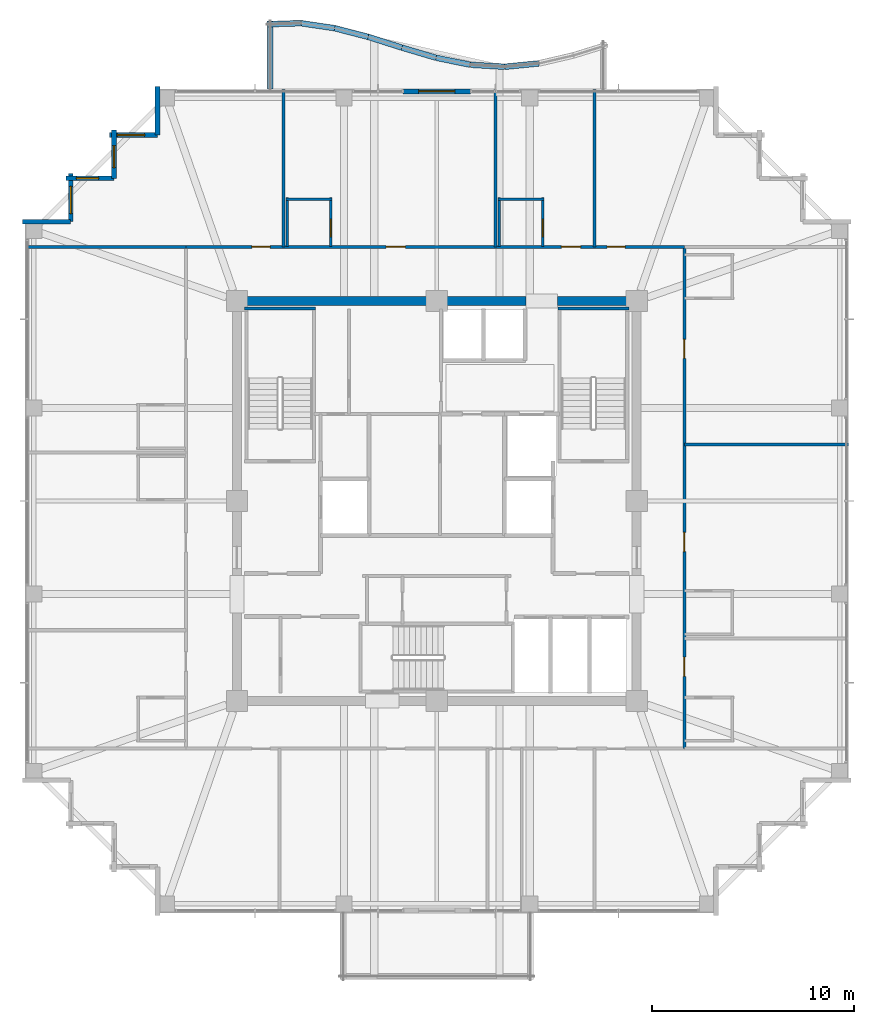
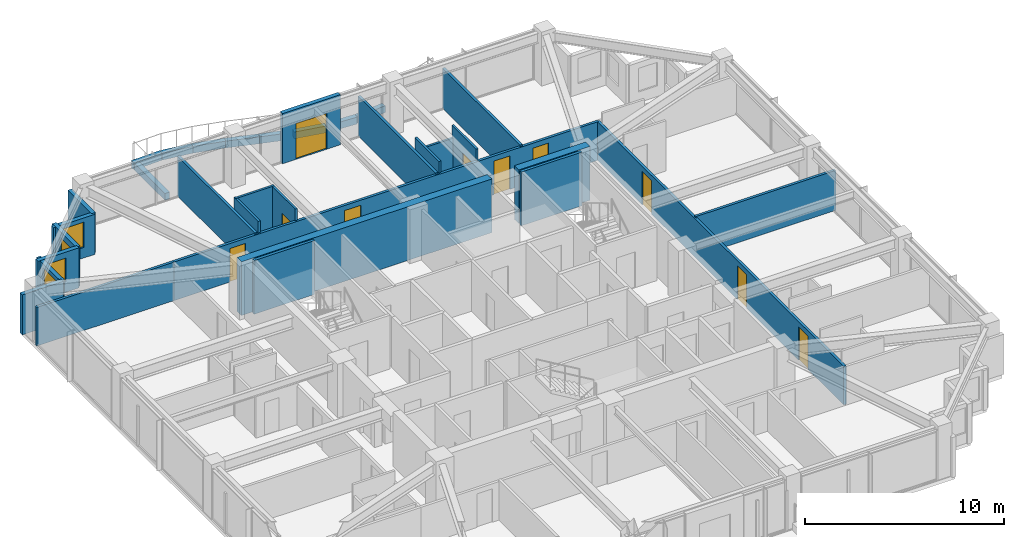
# One storey, part 33 of 36: 33 walls, 10 doors, 4 windows, 14 openings.
"""IFC4 building model written with IfcOpenShell, lengths in metres."""

import ifcopenshell
import ifcopenshell.guid

model = None  # the IFC model being written
_history = None  # IfcOwnerHistory: only IFC2X3 demands one
_inside = {}  # id of a spatial element -> (the spatial element, [elements in it])
_under = {}  # id of a project, library or spatial element -> (it, [spatial elements below it])
_declared = {}  # id of a project -> (the project, [libraries it declares])
_typed = {}  # id of a type object -> (the type object, [elements of that type])
_made_of = {}  # id of a material, layer set ... -> (it, [elements and type objects made of it])


def new_model(schema):
    """Start an empty IFC model of exactly this schema.

    Asked for "IFC4X3", IfcOpenShell would pick the latest addendum, in which some entities
    have other attributes; the version numbers below select the first issue.
    IFC2X3 requires an IfcOwnerHistory on every rooted entity: one is made here for all.
    """
    global model, _history
    if schema == "IFC4X3":
        model = ifcopenshell.file(schema_version=(4, 3, 0, 0))
    else:
        model = ifcopenshell.file(schema=schema)
    _inside.clear()
    _under.clear()
    _declared.clear()
    _typed.clear()
    _made_of.clear()
    _history = None
    if model.schema == "IFC2X3":
        org = make("IfcOrganization", Name="unknown")
        user = make(
            "IfcPersonAndOrganization",
            ThePerson=make("IfcPerson", FamilyName="unknown"),
            TheOrganization=org,
        )
        app = make(
            "IfcApplication",
            ApplicationDeveloper=org,
            Version="unknown",
            ApplicationFullName="unknown",
            ApplicationIdentifier="unknown",
        )
        _history = make(
            "IfcOwnerHistory",
            OwningUser=user,
            OwningApplication=app,
            ChangeAction="ADDED",
            CreationDate=0,
        )
    return model


def make(cls, **values):
    """One entity of the class cls with the attributes given. An attribute that is None is left unset."""
    return model.create_entity(
        cls, **{name: value for name, value in values.items() if value is not None}
    )


def rooted(cls, **values):
    """An entity with a GlobalId (a new one), such as an element, a storey or a relation."""
    return make(cls, GlobalId=ifcopenshell.guid.new(), OwnerHistory=_history, **values)


def si_unit(unit_type, name, prefix=None):
    """IfcSIUnit, for example si_unit("LENGTHUNIT", "METRE", prefix="MILLI")."""
    return make("IfcSIUnit", UnitType=unit_type, Prefix=prefix, Name=name)


def assignment(units):
    """IfcUnitAssignment: the units of a project."""
    return None if units is None else make("IfcUnitAssignment", Units=units)


def point(xyz):
    """IfcCartesianPoint."""
    return None if xyz is None else make("IfcCartesianPoint", Coordinates=xyz)


def direction(xyz):
    """IfcDirection."""
    return None if xyz is None else make("IfcDirection", DirectionRatios=xyz)


def frame(location, z_axis=None, x_axis=None):
    """IfcAxis2Placement3D, a coordinate frame: its origin and axes. An axis left out is left unset."""
    return make(
        "IfcAxis2Placement3D",
        Location=point(location),
        Axis=direction(z_axis),
        RefDirection=direction(x_axis),
    )


def frame_2d(location, x_axis=None):
    """IfcAxis2Placement2D, a coordinate frame in the plane: its origin and x axis."""
    return make(
        "IfcAxis2Placement2D", Location=point(location), RefDirection=direction(x_axis)
    )


def origin():
    """The frame at (0, 0, 0) with its axes left unset."""
    return frame((0.0, 0.0, 0.0))


def place(relative_to, where):
    """IfcLocalPlacement: puts the frame where relative to a parent placement (None: the world)."""
    return make(
        "IfcLocalPlacement", PlacementRelTo=relative_to, RelativePlacement=where
    )


def context(
    kind, dimensions, precision=None, world=None, true_north=None, identifier=None
):
    """IfcGeometricRepresentationContext, for example the 3D "Model" context."""
    return make(
        "IfcGeometricRepresentationContext",
        ContextIdentifier=identifier,
        ContextType=kind,
        CoordinateSpaceDimension=dimensions,
        Precision=precision,
        WorldCoordinateSystem=world,
        TrueNorth=true_north,
    )


def subcontext(parent, identifier, kind, view, scale=None):
    """IfcGeometricRepresentationSubContext, for example "Body" below "Model"."""
    return make(
        "IfcGeometricRepresentationSubContext",
        ContextIdentifier=identifier,
        ContextType=kind,
        ParentContext=parent,
        TargetScale=scale,
        TargetView=view,
    )


def project(units=None, contexts=None):
    """IfcProject with its units and contexts."""
    return rooted(
        "IfcProject",
        Name="project",
        RepresentationContexts=contexts,
        UnitsInContext=assignment(units),
    )


def spatial(cls, under=None, at=None, **own):
    """A site, building, storey or space (cls), placed at a placement, below another one or the project."""
    s = rooted(cls, ObjectPlacement=at, **own)
    if under is not None:
        _under.setdefault(under.id(), (under, []))[1].append(s)
    return s


def profile(cls, at=None, kind="AREA", **sizes):
    """A parametric profile (cls). Its sizes go by their IFC names, for example OverallWidth=200.0."""
    return make(cls, ProfileType=kind, Position=at, **sizes)


def rectangle(**sizes):
    """IfcRectangleProfileDef."""
    return profile("IfcRectangleProfileDef", **sizes)


def extrude(swept, where, along, depth):
    """IfcExtrudedAreaSolid: the profile swept, set in the frame where, extruded along a direction by depth."""
    return make(
        "IfcExtrudedAreaSolid",
        SweptArea=swept,
        Position=where,
        ExtrudedDirection=direction(along),
        Depth=depth,
    )


def shape(context_of_items, identifier, shape_type, items):
    """IfcShapeRepresentation: the items that make up one representation, for example the "Body"."""
    return make(
        "IfcShapeRepresentation",
        ContextOfItems=context_of_items,
        RepresentationIdentifier=identifier,
        RepresentationType=shape_type,
        Items=items,
    )


def material(Name=None, Category=None):
    """IfcMaterial."""
    return make("IfcMaterial", Name=Name, Category=Category)


def layer(
    of_material, thickness, ventilated=None, Name=None, Category=None, Priority=None
):
    """IfcMaterialLayer: one layer of a wall or slab, of a material (None: an air gap)."""
    return make(
        "IfcMaterialLayer",
        Material=of_material,
        LayerThickness=thickness,
        IsVentilated=ventilated,
        Name=Name,
        Category=Category,
        Priority=Priority,
    )


def layer_set(layers, Name=None):
    """IfcMaterialLayerSet."""
    return make("IfcMaterialLayerSet", MaterialLayers=layers, LayerSetName=Name)


def made_of(thing, what):
    """Note that an element or type object is made of a material, layer set ...; save() writes the relation."""
    if what is not None:
        _made_of.setdefault(what.id(), (what, []))[1].append(thing)
    return thing


def type_object(cls, material=None, **own):
    """A type object (cls), such as IfcWallType, which elements share."""
    return made_of(rooted(cls, **own), material)


def element(
    cls,
    number,
    at=None,
    inside=None,
    cuts=None,
    type_object=None,
    material=None,
    context=None,
    identifier="Body",
    shape_type=None,
    held_by="IfcProductDefinitionShape",
    body=None,
    shapes=None,
    **own,
):
    """One element of the class cls, such as IfcWall. Its Tag is "e" and its number.

    at: its placement. inside: the storey or other place that contains it. cuts: it is an
    opening in that element (IfcRelVoidsElement). A single representation is given by context,
    identifier, shape_type and body (its items); several are given by shapes. held_by: the class
    of the entity that holds the representations. save() writes the other relations.
    """
    e = rooted(cls, Tag="e%d" % number, ObjectPlacement=at, **own)
    if body is not None:
        shapes = [shape(context, identifier, shape_type, body)]
    if shapes is not None:
        e.Representation = make(held_by, Representations=shapes)
    if inside is not None:
        _inside.setdefault(inside.id(), (inside, []))[1].append(e)
    if cuts is not None:
        rooted(
            "IfcRelVoidsElement", RelatingBuildingElement=cuts, RelatedOpeningElement=e
        )
    if type_object is not None:
        _typed.setdefault(type_object.id(), (type_object, []))[1].append(e)
    return made_of(e, material)


def fill(opening, filler):
    """IfcRelFillsElement: the door or window that sits in an opening."""
    return rooted(
        "IfcRelFillsElement",
        RelatingOpeningElement=opening,
        RelatedBuildingElement=filler,
    )


def aggregate(whole, parts):
    """IfcRelAggregates: a whole, such as a stair, and the parts it consists of."""
    return rooted("IfcRelAggregates", RelatingObject=whole, RelatedObjects=parts)


def save(model, path):
    """Write the relations noted so far, then the file.

    IfcRelAggregates (storeys below a building ...), IfcRelContainedInSpatialStructure (elements
    in a storey), IfcRelDefinesByType, IfcRelAssociatesMaterial and IfcRelDeclares: one each for
    every whole, place, type object, material and project.
    """
    for whole, parts in _under.values():
        aggregate(whole, parts)
    for where, things in _inside.values():
        rooted(
            "IfcRelContainedInSpatialStructure",
            RelatedElements=things,
            RelatingStructure=where,
        )
    for kind, things in _typed.values():
        rooted("IfcRelDefinesByType", RelatedObjects=things, RelatingType=kind)
    for what, things in _made_of.values():
        rooted("IfcRelAssociatesMaterial", RelatedObjects=things, RelatingMaterial=what)
    for by, libraries in _declared.values():
        rooted("IfcRelDeclares", RelatingContext=by, RelatedDefinitions=libraries)
    model.write(path)


model = new_model("IFC4")

# Units and contexts
model_context = context("Model", 3, precision=1e-05, world=origin(), true_north=direction((0.0, 1.0)))
body_context = subcontext(model_context, "Body", "Model", "MODEL_VIEW")
ifc_project = project(units=[si_unit("LENGTHUNIT", "METRE"), si_unit("AREAUNIT", "SQUARE_METRE"), si_unit("VOLUMEUNIT", "CUBIC_METRE"), si_unit("PLANEANGLEUNIT", "RADIAN"), si_unit("MASSUNIT", "GRAM", prefix="KILO")], contexts=[model_context])

# Site, building, storey
site_placement = place(None, origin())
site = spatial("IfcSite", under=ifc_project, at=site_placement, CompositionType="ELEMENT")
building_placement = place(site_placement, origin())
building = spatial("IfcBuilding", under=site, at=building_placement, Name="Kolvaren Belvedere", CompositionType="ELEMENT")
storey_placement = place(building_placement, frame((0.0, 0.0, 226.199951171875)))
storey = spatial("IfcBuildingStorey", under=building, at=storey_placement, Name="L66", CompositionType="ELEMENT", Elevation=226.199951171875)

# Walls
ifc_material_1 = material(Name="Concrete C50/60", Category="concrete")
ifc_layer_1 = layer(ifc_material_1, 0.449951171875)
ifc_layer_set_1 = layer_set([ifc_layer_1], Name="Concrete C50/60")
wall_type_1 = type_object("IfcWallType", Name="CW-CORE-450", PredefinedType="SHEAR", material=ifc_layer_set_1)
wall_1_placement = place(storey_placement, frame((-10.125, 9.89990234375, 0.0), z_axis=(0.0, 0.0, 1.0), x_axis=(1.0, 0.0, 0.0)))
element("IfcWall", 1, at=wall_1_placement, inside=storey, type_object=wall_type_1, Name="L66 North Core Shear Wall 1", PredefinedType="SHEAR", context=body_context, shape_type="SweptSolid", body=[
    extrude(rectangle(XDim=14.544921875, YDim=0.449951171875, at=frame_2d((7.2724609375, 0.0))), origin(), (0.0, 0.0, 1.0), 3.300048828125),
])
wall_2_placement = place(storey_placement, frame((5.97998046875, 9.89990234375, 0.0), z_axis=(0.0, 0.0, 1.0), x_axis=(1.0, 0.0, 0.0)))
element("IfcWall", 2, at=wall_2_placement, inside=storey, type_object=wall_type_1, Name="L66 North Core Shear Wall 2", PredefinedType="SHEAR", context=body_context, shape_type="SweptSolid", body=[
    extrude(rectangle(XDim=4.14501953125, YDim=0.449951171875, at=frame_2d((2.072509765625, 0.0))), origin(), (0.0, 0.0, 1.0), 3.300048828125),
])
ifc_material_2 = material(Name="Concrete C50/60", Category="concrete")
ifc_layer_2 = layer(ifc_material_2, 0.159912109375)
ifc_layer_set_2 = layer_set([ifc_layer_2], Name="Concrete C50/60")
wall_type_2 = type_object("IfcWallType", Name="CW-STAIR-160", PredefinedType="SHEAR", material=ifc_layer_set_2)
for number, where, z_axis, x_axis, name in (
    (3, (-9.52001953125, 9.530029296875, 0.0), (0.0, 0.0, 1.0), (1.0, 0.0, 0.0), "L66 Stair ST-1 North Shear Wall"),
    (4, (6.0, 9.530029296875, 0.0), (0.0, 0.0, 1.0), (1.0, 0.0, 0.0), "L66 Stair ST-2 North Shear Wall"),
):
    element("IfcWall", number, at=place(storey_placement, frame(where, z_axis=z_axis, x_axis=x_axis)), inside=storey, type_object=wall_type_2, Name=name, PredefinedType="SHEAR", context=body_context, shape_type="SweptSolid", body=[
        extrude(rectangle(XDim=3.52001953125, YDim=0.159912109375, at=frame_2d((1.760009765625, 0.0))), origin(), (0.0, 0.0, 1.0), 3.300048828125),
    ])

# Wall, openings, doors
ifc_material_3 = material(Name="Gypsum fire-rated partition assembly", Category="gypsum")
ifc_layer_3 = layer(ifc_material_3, 0.14990234375)
ifc_layer_set_3 = layer_set([ifc_layer_3], Name="Gypsum fire-rated partition assembly")
wall_type_3 = type_object("IfcWallType", Name="WL-CORR-150", PredefinedType="PARTITIONING", material=ifc_layer_set_3)
wall_3_placement = place(storey_placement, frame((-12.419921875, 12.580078125, 0.0), z_axis=(0.0, 0.0, 1.0), x_axis=(1.0, 0.0, 0.0)))
wall_3 = element("IfcWall", 5, at=wall_3_placement, inside=storey, type_object=wall_type_3, Name="L66 North Corridor Wall", PredefinedType="PARTITIONING", context=body_context, shape_type="SweptSolid", body=[
    extrude(rectangle(XDim=24.679931640625, YDim=0.14990234375, at=frame_2d((12.33984375, 0.0))), origin(), (0.0, 0.0, 1.0), 2.369140625),
])
opening_1_placement = place(wall_3_placement, frame((3.267333984375, 0.0, 0.0)))
opening_1 = element("IfcOpeningElement", 6, at=opening_1_placement, cuts=wall_3, Name="Opening D-INT90", PredefinedType="OPENING", context=body_context, shape_type="SweptSolid", body=[
    extrude(rectangle(XDim=0.89990234375, YDim=2.06005859375, at=frame_2d((0.449951171875, 1.030029296875))), frame((0.0, 0.0849609375, 0.0), z_axis=(0.0, -1.0, 0.0), x_axis=(1.0, 0.0, 0.0)), (0.0, 0.0, 1.0), 0.169921875),
])
opening_2_placement = place(wall_3_placement, frame((9.9150390625, 0.0, 0.0)))
opening_2 = element("IfcOpeningElement", 7, at=opening_2_placement, cuts=wall_3, Name="Opening D-FD60", PredefinedType="OPENING", context=body_context, shape_type="SweptSolid", body=[
    extrude(rectangle(XDim=0.949951171875, YDim=2.06005859375, at=frame_2d((0.47509765625, 1.030029296875))), frame((0.0, 0.0849609375, 0.0), z_axis=(0.0, -1.0, 0.0), x_axis=(1.0, 0.0, 0.0)), (0.0, 0.0, 1.0), 0.169921875),
])
opening_3_placement = place(wall_3_placement, frame((18.58740234375, 0.0, 0.0)))
opening_3 = element("IfcOpeningElement", 8, at=opening_3_placement, cuts=wall_3, Name="Opening D-FD60", PredefinedType="OPENING", context=body_context, shape_type="SweptSolid", body=[
    extrude(rectangle(XDim=0.949951171875, YDim=2.06005859375, at=frame_2d((0.47509765625, 1.030029296875))), frame((0.0, 0.0849609375, 0.0), z_axis=(0.0, -1.0, 0.0), x_axis=(1.0, 0.0, 0.0)), (0.0, 0.0, 1.0), 0.169921875),
])
opening_4_placement = place(wall_3_placement, frame((20.849853515625, 0.0, 0.0)))
opening_4 = element("IfcOpeningElement", 9, at=opening_4_placement, cuts=wall_3, Name="Opening D-INT90", PredefinedType="OPENING", context=body_context, shape_type="SweptSolid", body=[
    extrude(rectangle(XDim=0.89990234375, YDim=2.06005859375, at=frame_2d((0.449951171875, 1.030029296875))), frame((0.0, 0.0849609375, 0.0), z_axis=(0.0, -1.0, 0.0), x_axis=(1.0, 0.0, 0.0)), (0.0, 0.0, 1.0), 0.169921875),
])
ifc_material_4 = material(Name="Acoustic white-oak fire door leaf", Category="timber")
door_type_1 = type_object("IfcDoorType", Name="DR-FD60-950", OperationType="NOTDEFINED", PredefinedType="DOOR", material=ifc_material_4)
door_1_placement = place(opening_2_placement, origin())
door_1 = element("IfcDoor", 10, at=door_1_placement, inside=storey, type_object=door_type_1, Name="L66 Twin Guest Room 6611 Entry Door", OperationType="SINGLE_SWING_RIGHT", OverallHeight=2.06005859375, OverallWidth=0.949951171875, PredefinedType="DOOR", context=body_context, shape_type="SweptSolid", body=[
    extrude(rectangle(XDim=0.949951171875, YDim=2.06005859375, at=frame_2d((0.47509765625, 1.030029296875))), frame((0.0, 0.02490234375, 0.0), z_axis=(0.0, -1.0, 0.0), x_axis=(1.0, 0.0, 0.0)), (0.0, 0.0, 1.0), 0.050048828125),
])
fill(opening_2, door_1)
door_2_placement = place(opening_3_placement, origin())
door_2 = element("IfcDoor", 11, at=door_2_placement, inside=storey, type_object=door_type_1, Name="L66 Deluxe King Guest Room 6612 Entry Door", OperationType="SINGLE_SWING_RIGHT", OverallHeight=2.06005859375, OverallWidth=0.949951171875, PredefinedType="DOOR", context=body_context, shape_type="SweptSolid", body=[
    extrude(rectangle(XDim=0.949951171875, YDim=2.06005859375, at=frame_2d((0.47509765625, 1.030029296875))), frame((0.0, 0.02490234375, 0.0), z_axis=(0.0, -1.0, 0.0), x_axis=(1.0, 0.0, 0.0)), (0.0, 0.0, 1.0), 0.050048828125),
])
fill(opening_3, door_2)
ifc_material_5 = material(Name="Stained Pacific white oak", Category="timber")
door_type_2 = type_object("IfcDoorType", Name="DR-INT-900", OperationType="NOTDEFINED", PredefinedType="DOOR", material=ifc_material_5)
door_3_placement = place(opening_1_placement, origin())
door_3 = element("IfcDoor", 12, at=door_3_placement, inside=storey, type_object=door_type_2, Name="L66 Lounge 6610 Door", OperationType="SINGLE_SWING_RIGHT", OverallHeight=2.06005859375, OverallWidth=0.89990234375, PredefinedType="DOOR", context=body_context, shape_type="SweptSolid", body=[
    extrude(rectangle(XDim=0.89990234375, YDim=2.06005859375, at=frame_2d((0.449951171875, 1.030029296875))), frame((0.0, 0.02490234375, 0.0), z_axis=(0.0, -1.0, 0.0), x_axis=(1.0, 0.0, 0.0)), (0.0, 0.0, 1.0), 0.050048828125),
])
fill(opening_1, door_3)
door_4_placement = place(opening_4_placement, origin())
door_4 = element("IfcDoor", 13, at=door_4_placement, inside=storey, type_object=door_type_2, Name="L66 Lounge 6613 Door", OperationType="SINGLE_SWING_LEFT", OverallHeight=2.06005859375, OverallWidth=0.89990234375, PredefinedType="DOOR", context=body_context, shape_type="SweptSolid", body=[
    extrude(rectangle(XDim=0.89990234375, YDim=2.06005859375, at=frame_2d((0.449951171875, 1.030029296875))), frame((0.0, 0.02490234375, 0.0), z_axis=(0.0, -1.0, 0.0), x_axis=(1.0, 0.0, 0.0)), (0.0, 0.0, 1.0), 0.050048828125),
])
fill(opening_4, door_4)

wall_4_placement = place(storey_placement, frame((12.260009765625, -12.260009765625, 0.0), z_axis=(0.0, 0.0, 1.0), x_axis=(0.0, 1.0, 0.0)))
wall_4 = element("IfcWall", 14, at=wall_4_placement, inside=storey, type_object=wall_type_3, Name="L66 East Corridor Wall", PredefinedType="PARTITIONING", context=body_context, shape_type="SweptSolid", body=[
    extrude(rectangle(XDim=24.840087890625, YDim=0.14990234375, at=frame_2d((12.419921875, 0.0))), origin(), (0.0, 0.0, 1.0), 2.369140625),
])
opening_5_placement = place(wall_4_placement, frame((3.581298828125, 0.0, 0.0)))
opening_5 = element("IfcOpeningElement", 15, at=opening_5_placement, cuts=wall_4, Name="Opening D-FD60", PredefinedType="OPENING", context=body_context, shape_type="SweptSolid", body=[
    extrude(rectangle(XDim=0.949951171875, YDim=2.06005859375, at=frame_2d((0.47509765625, 1.030029296875))), frame((0.0, 0.0849609375, 0.0), z_axis=(0.0, -1.0, 0.0), x_axis=(1.0, 0.0, 0.0)), (0.0, 0.0, 1.0), 0.169921875),
])
opening_6_placement = place(wall_4_placement, frame((9.7548828125, 0.0, 0.0)))
opening_6 = element("IfcOpeningElement", 16, at=opening_6_placement, cuts=wall_4, Name="Opening D-FD60", PredefinedType="OPENING", context=body_context, shape_type="SweptSolid", body=[
    extrude(rectangle(XDim=0.949951171875, YDim=2.06005859375, at=frame_2d((0.47509765625, 1.030029296875))), frame((0.0, 0.0849609375, 0.0), z_axis=(0.0, -1.0, 0.0), x_axis=(1.0, 0.0, 0.0)), (0.0, 0.0, 1.0), 0.169921875),
])
opening_7_placement = place(wall_4_placement, frame((19.320068359375, 0.0, 0.0)))
opening_7 = element("IfcOpeningElement", 17, at=opening_7_placement, cuts=wall_4, Name="Opening D-FD60", PredefinedType="OPENING", context=body_context, shape_type="SweptSolid", body=[
    extrude(rectangle(XDim=0.949951171875, YDim=2.06005859375, at=frame_2d((0.47509765625, 1.030029296875))), frame((0.0, 0.0849609375, 0.0), z_axis=(0.0, -1.0, 0.0), x_axis=(1.0, 0.0, 0.0)), (0.0, 0.0, 1.0), 0.169921875),
])
door_5_placement = place(opening_5_placement, origin())
door_5 = element("IfcDoor", 18, at=door_5_placement, inside=storey, type_object=door_type_1, Name="L66 Deluxe King Guest Room 6604 Entry Door", OperationType="SINGLE_SWING_LEFT", OverallHeight=2.06005859375, OverallWidth=0.949951171875, PredefinedType="DOOR", context=body_context, shape_type="SweptSolid", body=[
    extrude(rectangle(XDim=0.949951171875, YDim=2.06005859375, at=frame_2d((0.47509765625, 1.030029296875))), frame((0.0, 0.02490234375, 0.0), z_axis=(0.0, -1.0, 0.0), x_axis=(1.0, 0.0, 0.0)), (0.0, 0.0, 1.0), 0.050048828125),
])
fill(opening_5, door_5)
door_6_placement = place(opening_6_placement, origin())
door_6 = element("IfcDoor", 19, at=door_6_placement, inside=storey, type_object=door_type_1, Name="L66 Twin Guest Room 6605 Entry Door", OperationType="SINGLE_SWING_LEFT", OverallHeight=2.06005859375, OverallWidth=0.949951171875, PredefinedType="DOOR", context=body_context, shape_type="SweptSolid", body=[
    extrude(rectangle(XDim=0.949951171875, YDim=2.06005859375, at=frame_2d((0.47509765625, 1.030029296875))), frame((0.0, 0.02490234375, 0.0), z_axis=(0.0, -1.0, 0.0), x_axis=(1.0, 0.0, 0.0)), (0.0, 0.0, 1.0), 0.050048828125),
])
fill(opening_6, door_6)
door_7_placement = place(opening_7_placement, origin())
door_7 = element("IfcDoor", 20, at=door_7_placement, inside=storey, type_object=door_type_1, Name="L66 Deluxe King Guest Room 6606 Entry Door", OperationType="SINGLE_SWING_LEFT", OverallHeight=2.06005859375, OverallWidth=0.949951171875, PredefinedType="DOOR", context=body_context, shape_type="SweptSolid", body=[
    extrude(rectangle(XDim=0.949951171875, YDim=2.06005859375, at=frame_2d((0.47509765625, 1.030029296875))), frame((0.0, 0.02490234375, 0.0), z_axis=(0.0, -1.0, 0.0), x_axis=(1.0, 0.0, 0.0)), (0.0, 0.0, 1.0), 0.050048828125),
])
fill(opening_7, door_7)

# Wall, opening, door
ifc_material_6 = material(Name="Insulated pale-metal facade wall assembly", Category="aluminium")
ifc_layer_4 = layer(ifc_material_6, 0.239990234375)
ifc_layer_set_4 = layer_set([ifc_layer_4], Name="Insulated pale-metal facade wall assembly")
wall_type_4 = type_object("IfcWallType", Name="WL-EXT-240", PredefinedType="STANDARD", material=ifc_layer_set_4)
wall_5_placement = place(storey_placement, frame((-1.679931640625, 20.280029296875, 0.0), z_axis=(0.0, 0.0, 1.0), x_axis=(1.0, 0.0, 0.0)))
wall_5 = element("IfcWall", 21, at=wall_5_placement, inside=storey, type_object=wall_type_4, Name="L66 North Terrace Portal Wall", PredefinedType="STANDARD", context=body_context, shape_type="SweptSolid", body=[
    extrude(rectangle(XDim=3.35986328125, YDim=0.239990234375, at=frame_2d((1.679931640625, 0.0))), origin(), (0.0, 0.0, 1.0), 3.080078125),
])
opening_8_placement = place(wall_5_placement, frame((0.780029296875, 0.0, 0.0)))
opening_8 = element("IfcOpeningElement", 22, at=opening_8_placement, cuts=wall_5, Name="Opening DB-1800", PredefinedType="OPENING", context=body_context, shape_type="SweptSolid", body=[
    extrude(rectangle(XDim=1.800048828125, YDim=2.199951171875, at=frame_2d((0.89990234375, 1.10009765625))), frame((0.0, 0.1298828125, 0.0), z_axis=(0.0, -1.0, 0.0), x_axis=(1.0, 0.0, 0.0)), (0.0, 0.0, 1.0), 0.260009765625),
])
ifc_material_7 = material(Name="Thermally broken pale-metal aluminium & low-iron glass", Category="aluminium")
door_type_3 = type_object("IfcDoorType", Name="DR-BAL-1800", OperationType="DOUBLE_DOOR_SLIDING", PredefinedType="DOOR", material=ifc_material_7)
door_8_placement = place(opening_8_placement, origin())
door_8 = element("IfcDoor", 23, at=door_8_placement, inside=storey, type_object=door_type_3, Name="L66 North Planted Terrace Sliding Door", OperationType="DOUBLE_DOOR_SLIDING", OverallHeight=2.199951171875, OverallWidth=1.800048828125, PredefinedType="DOOR", context=body_context, shape_type="SweptSolid", body=[
    extrude(rectangle(XDim=1.800048828125, YDim=2.199951171875, at=frame_2d((0.89990234375, 1.10009765625))), frame((0.0, 0.02490234375, 0.0), z_axis=(0.0, -1.0, 0.0), x_axis=(1.0, 0.0, 0.0)), (0.0, 0.0, 1.0), 0.050048828125),
])
fill(opening_8, door_8)

# Wall
wall_6_placement = place(storey_placement, frame((-13.830078125, 18.1298828125, 0.0), z_axis=(0.0, 0.0, 1.0), x_axis=(0.0, 1.0, 0.0)))
element("IfcWall", 24, at=wall_6_placement, inside=storey, type_object=wall_type_4, Name="L66 Serrated Corner Facade Wall 16", PredefinedType="STANDARD", context=body_context, shape_type="SweptSolid", body=[
    extrude(rectangle(XDim=2.39013671875, YDim=0.239990234375, at=frame_2d((1.195068359375, 0.0))), origin(), (0.0, 0.0, 1.0), 2.463134765625),
])

# Wall, opening, window
wall_7_placement = place(storey_placement, frame((-16.219970703125, 18.1298828125, 0.0), z_axis=(0.0, 0.0, 1.0), x_axis=(1.0, 0.0, 0.0)))
wall_7 = element("IfcWall", 25, at=wall_7_placement, inside=storey, type_object=wall_type_4, Name="L66 Serrated Corner Facade Wall 17", PredefinedType="STANDARD", context=body_context, shape_type="SweptSolid", body=[
    extrude(rectangle(XDim=2.389892578125, YDim=0.239990234375, at=frame_2d((1.19482421875, 0.0))), origin(), (0.0, 0.0, 1.0), 2.463134765625),
])
opening_9_placement = place(wall_7_placement, frame((0.39990234375, 0.0, 0.64990234375)))
opening_9 = element("IfcOpeningElement", 26, at=opening_9_placement, cuts=wall_7, Name="Opening W-1350", PredefinedType="OPENING", context=body_context, shape_type="SweptSolid", body=[
    extrude(rectangle(XDim=1.35009765625, YDim=1.550048828125, at=frame_2d((0.675048828125, 0.77490234375))), frame((0.0, 0.1298828125, 0.0), z_axis=(0.0, -1.0, 0.0), x_axis=(1.0, 0.0, 0.0)), (0.0, 0.0, 1.0), 0.260009765625),
])
ifc_material_8 = material(Name="Low-iron triple insulated glass", Category="glass")
window_type_1 = type_object("IfcWindowType", Name="WN-CORN-1350", PartitioningType="SINGLE_PANEL", PredefinedType="WINDOW", material=ifc_material_8)
window_1_placement = place(opening_9_placement, origin())
window_1 = element("IfcWindow", 27, at=window_1_placement, inside=storey, type_object=window_type_1, Name="L66 Serrated Corner Vision Window 17", OverallHeight=1.550048828125, OverallWidth=1.35009765625, PartitioningType="SINGLE_PANEL", PredefinedType="WINDOW", context=body_context, shape_type="SweptSolid", body=[
    extrude(rectangle(XDim=1.35009765625, YDim=1.550048828125, at=frame_2d((0.675048828125, 0.77490234375))), frame((0.0, 0.030029296875, 0.0), z_axis=(0.0, -1.0, 0.0), x_axis=(1.0, 0.0, 0.0)), (0.0, 0.0, 1.0), 0.06005859375),
])
fill(opening_9, window_1)

wall_8_placement = place(storey_placement, frame((-15.97998046875, 15.97998046875, 0.0), z_axis=(0.0, 0.0, 1.0), x_axis=(0.0, 1.0, 0.0)))
wall_8 = element("IfcWall", 28, at=wall_8_placement, inside=storey, type_object=wall_type_4, Name="L66 Serrated Corner Facade Wall 18", PredefinedType="STANDARD", context=body_context, shape_type="SweptSolid", body=[
    extrude(rectangle(XDim=2.39013671875, YDim=0.239990234375, at=frame_2d((1.195068359375, 0.0))), origin(), (0.0, 0.0, 1.0), 2.463134765625),
])
opening_10_placement = place(wall_8_placement, frame((0.52490234375, 0.0, 0.64990234375)))
opening_10 = element("IfcOpeningElement", 29, at=opening_10_placement, cuts=wall_8, Name="Opening W-1100", PredefinedType="OPENING", context=body_context, shape_type="SweptSolid", body=[
    extrude(rectangle(XDim=1.10009765625, YDim=1.449951171875, at=frame_2d((0.550048828125, 0.72509765625))), frame((0.0, 0.1298828125, 0.0), z_axis=(0.0, -1.0, 0.0), x_axis=(1.0, 0.0, 0.0)), (0.0, 0.0, 1.0), 0.260009765625),
])
ifc_material_9 = material(Name="Low-iron triple insulated glass", Category="glass")
window_type_2 = type_object("IfcWindowType", Name="WN-CORN-1100", PartitioningType="SINGLE_PANEL", PredefinedType="WINDOW", material=ifc_material_9)
window_2_placement = place(opening_10_placement, origin())
window_2 = element("IfcWindow", 30, at=window_2_placement, inside=storey, type_object=window_type_2, Name="L66 Serrated Corner Vision Window 18", OverallHeight=1.449951171875, OverallWidth=1.10009765625, PartitioningType="SINGLE_PANEL", PredefinedType="WINDOW", context=body_context, shape_type="SweptSolid", body=[
    extrude(rectangle(XDim=1.10009765625, YDim=1.449951171875, at=frame_2d((0.550048828125, 0.72509765625))), frame((0.0, 0.030029296875, 0.0), z_axis=(0.0, -1.0, 0.0), x_axis=(1.0, 0.0, 0.0)), (0.0, 0.0, 1.0), 0.06005859375),
])
fill(opening_10, window_2)

wall_9_placement = place(storey_placement, frame((-18.3701171875, 15.97998046875, 0.0), z_axis=(0.0, 0.0, 1.0), x_axis=(1.0, 0.0, 0.0)))
wall_9 = element("IfcWall", 31, at=wall_9_placement, inside=storey, type_object=wall_type_4, Name="L66 Serrated Corner Facade Wall 19", PredefinedType="STANDARD", context=body_context, shape_type="SweptSolid", body=[
    extrude(rectangle(XDim=2.39013671875, YDim=0.239990234375, at=frame_2d((1.195068359375, 0.0))), origin(), (0.0, 0.0, 1.0), 2.463134765625),
])
opening_11_placement = place(wall_9_placement, frame((0.52490234375, 0.0, 0.64990234375)))
opening_11 = element("IfcOpeningElement", 32, at=opening_11_placement, cuts=wall_9, Name="Opening W-1100", PredefinedType="OPENING", context=body_context, shape_type="SweptSolid", body=[
    extrude(rectangle(XDim=1.10009765625, YDim=1.449951171875, at=frame_2d((0.550048828125, 0.72509765625))), frame((0.0, 0.1298828125, 0.0), z_axis=(0.0, -1.0, 0.0), x_axis=(1.0, 0.0, 0.0)), (0.0, 0.0, 1.0), 0.260009765625),
])
window_3_placement = place(opening_11_placement, origin())
window_3 = element("IfcWindow", 33, at=window_3_placement, inside=storey, type_object=window_type_2, Name="L66 Serrated Corner Vision Window 19", OverallHeight=1.449951171875, OverallWidth=1.10009765625, PartitioningType="SINGLE_PANEL", PredefinedType="WINDOW", context=body_context, shape_type="SweptSolid", body=[
    extrude(rectangle(XDim=1.10009765625, YDim=1.449951171875, at=frame_2d((0.550048828125, 0.72509765625))), frame((0.0, 0.030029296875, 0.0), z_axis=(0.0, -1.0, 0.0), x_axis=(1.0, 0.0, 0.0)), (0.0, 0.0, 1.0), 0.06005859375),
])
fill(opening_11, window_3)

wall_10_placement = place(storey_placement, frame((-18.1298828125, 13.830078125, 0.0), z_axis=(0.0, 0.0, 1.0), x_axis=(0.0, 1.0, 0.0)))
wall_10 = element("IfcWall", 34, at=wall_10_placement, inside=storey, type_object=wall_type_4, Name="L66 Serrated Corner Facade Wall 20", PredefinedType="STANDARD", context=body_context, shape_type="SweptSolid", body=[
    extrude(rectangle(XDim=2.389892578125, YDim=0.239990234375, at=frame_2d((1.19482421875, 0.0))), origin(), (0.0, 0.0, 1.0), 2.463134765625),
])
opening_12_placement = place(wall_10_placement, frame((0.39990234375, 0.0, 0.64990234375)))
opening_12 = element("IfcOpeningElement", 35, at=opening_12_placement, cuts=wall_10, Name="Opening W-1350", PredefinedType="OPENING", context=body_context, shape_type="SweptSolid", body=[
    extrude(rectangle(XDim=1.35009765625, YDim=1.550048828125, at=frame_2d((0.675048828125, 0.77490234375))), frame((0.0, 0.1298828125, 0.0), z_axis=(0.0, -1.0, 0.0), x_axis=(1.0, 0.0, 0.0)), (0.0, 0.0, 1.0), 0.260009765625),
])
window_4_placement = place(opening_12_placement, origin())
window_4 = element("IfcWindow", 36, at=window_4_placement, inside=storey, type_object=window_type_1, Name="L66 Serrated Corner Vision Window 20", OverallHeight=1.550048828125, OverallWidth=1.35009765625, PartitioningType="SINGLE_PANEL", PredefinedType="WINDOW", context=body_context, shape_type="SweptSolid", body=[
    extrude(rectangle(XDim=1.35009765625, YDim=1.550048828125, at=frame_2d((0.675048828125, 0.77490234375))), frame((0.0, 0.030029296875, 0.0), z_axis=(0.0, -1.0, 0.0), x_axis=(1.0, 0.0, 0.0)), (0.0, 0.0, 1.0), 0.06005859375),
])
fill(opening_12, window_4)

# Walls
wall_11_placement = place(storey_placement, frame((-20.52001953125, 13.830078125, 0.0), z_axis=(0.0, 0.0, 1.0), x_axis=(1.0, 0.0, 0.0)))
element("IfcWall", 37, at=wall_11_placement, inside=storey, type_object=wall_type_4, Name="L66 Serrated Corner Facade Wall 21", PredefinedType="STANDARD", context=body_context, shape_type="SweptSolid", body=[
    extrude(rectangle(XDim=2.39013671875, YDim=0.239990234375, at=frame_2d((1.195068359375, 0.0))), origin(), (0.0, 0.0, 1.0), 2.463134765625),
])
ifc_material_10 = material(Name="Gypsum acoustic partition assembly", Category="gypsum")
ifc_layer_5 = layer(ifc_material_10, 0.14990234375)
ifc_layer_set_5 = layer_set([ifc_layer_5], Name="Gypsum acoustic partition assembly")
wall_type_5 = type_object("IfcWallType", Name="WL-PART-150", PredefinedType="PARTITIONING", material=ifc_layer_set_5)
wall_12_placement = place(storey_placement, frame((-20.3798828125, 12.580078125, 0.0), z_axis=(0.0, 0.0, 1.0), x_axis=(1.0, 0.0, 0.0)))
element("IfcWall", 38, at=wall_12_placement, inside=storey, type_object=wall_type_5, Name="L66 Wing Divider PW-L66-QNW", PredefinedType="PARTITIONING", context=body_context, shape_type="SweptSolid", body=[
    extrude(rectangle(XDim=7.9599609375, YDim=0.14990234375, at=frame_2d((3.97998046875, 0.0))), origin(), (0.0, 0.0, 1.0), 2.369140625),
])
wall_13_placement = place(storey_placement, frame((12.260009765625, 2.800048828125, 0.0), z_axis=(0.0, 0.0, 1.0), x_axis=(1.0, 0.0, 0.0)))
element("IfcWall", 39, at=wall_13_placement, inside=storey, type_object=wall_type_5, Name="L66 East Suite Demising Wall 2", PredefinedType="PARTITIONING", context=body_context, shape_type="SweptSolid", body=[
    extrude(rectangle(XDim=8.119873046875, YDim=0.14990234375, at=frame_2d((4.06005859375, 0.0))), origin(), (0.0, 0.0, 1.0), 2.453125),
])
for number, where, z_axis, x_axis, name in (
    (40, (-7.60009765625, 12.580078125, 0.0), (0.0, 0.0, 1.0), (0.0, 1.0, 0.0), "L66 North Suite Demising Wall 1"),
    (41, (2.89990234375, 12.580078125, 0.0), (0.0, 0.0, 1.0), (0.0, 1.0, 0.0), "L66 North Suite Demising Wall 2"),
    (42, (7.800048828125, 12.580078125, 0.0), (0.0, 0.0, 1.0), (0.0, 1.0, 0.0), "L66 North Suite Demising Wall 3"),
):
    element("IfcWall", number, at=place(storey_placement, frame(where, z_axis=z_axis, x_axis=x_axis)), inside=storey, type_object=wall_type_5, Name=name, PredefinedType="PARTITIONING", context=body_context, shape_type="SweptSolid", body=[
        extrude(rectangle(XDim=7.7998046875, YDim=0.14990234375, at=frame_2d((3.89990234375, 0.0))), origin(), (0.0, 0.0, 1.0), 2.453125),
    ])
ifc_material_11 = material(Name="Precast concrete C40/50", Category="concrete")
ifc_layer_6 = layer(ifc_material_11, 0.300048828125)
ifc_layer_set_6 = layer_set([ifc_layer_6], Name="Precast concrete C40/50")
wall_type_6 = type_object("IfcWallType", Name="WL-PLANTER-300", PredefinedType="PARAPET", material=ifc_layer_set_6)
wall_14_placement = place(storey_placement, frame((5.0556640625, 21.6689453125, -0.0400390625), z_axis=(0.0, 0.0, 1.0), x_axis=(-0.995152499202, -0.098343801694, 0.0)))
element("IfcWall", 43, at=wall_14_placement, inside=storey, type_object=wall_type_6, Name="L66 Precast Structural Planter Wall BAL-N-14", PredefinedType="PARAPET", context=body_context, shape_type="SweptSolid", body=[
    extrude(rectangle(XDim=1.688232421875, YDim=0.280029296875, at=frame_2d((0.84423828125, 0.0))), origin(), (0.0, 0.0, 1.0), 0.420166015625),
])
wall_15_placement = place(storey_placement, frame((3.350341796875, 21.50244140625, -0.0400390625), z_axis=(0.0, 0.0, 1.0), x_axis=(-0.998212296378, 0.059767979379, 0.0)))
element("IfcWall", 44, at=wall_15_placement, inside=storey, type_object=wall_type_6, Name="L66 Precast Structural Planter Wall BAL-N-15", PredefinedType="PARAPET", context=body_context, shape_type="SweptSolid", body=[
    extrude(rectangle(XDim=1.682861328125, YDim=0.280029296875, at=frame_2d((0.84130859375, 0.0))), origin(), (0.0, 0.0, 1.0), 0.420166015625),
])
wall_16_placement = place(storey_placement, frame((1.64794921875, 21.60595703125, -0.0400390625), z_axis=(0.0, 0.0, 1.0), x_axis=(-0.979839912937, 0.199784246163, 0.0)))
element("IfcWall", 45, at=wall_16_placement, inside=storey, type_object=wall_type_6, Name="L66 Precast Structural Planter Wall BAL-N-16", PredefinedType="PARAPET", context=body_context, shape_type="SweptSolid", body=[
    extrude(rectangle(XDim=1.714599609375, YDim=0.280029296875, at=frame_2d((0.857421875, 0.0))), origin(), (0.0, 0.0, 1.0), 0.420166015625),
])
wall_17_placement = place(storey_placement, frame((-0.045654296875, 21.951904296875, -0.0400390625), z_axis=(0.0, 0.0, 1.0), x_axis=(-0.95856309129, 0.284880325779, 0.0)))
element("IfcWall", 46, at=wall_17_placement, inside=storey, type_object=wall_type_6, Name="L66 Precast Structural Planter Wall BAL-N-17", PredefinedType="PARAPET", context=body_context, shape_type="SweptSolid", body=[
    extrude(rectangle(XDim=1.75244140625, YDim=0.280029296875, at=frame_2d((0.876220703125, 0.0))), origin(), (0.0, 0.0, 1.0), 0.420166015625),
])
wall_18_placement = place(storey_placement, frame((-1.728515625, 22.4521484375, -0.0400390625), z_axis=(0.0, 0.0, 1.0), x_axis=(-0.953181954832, 0.302397356111, 0.0)))
element("IfcWall", 47, at=wall_18_placement, inside=storey, type_object=wall_type_6, Name="L66 Precast Structural Planter Wall BAL-N-18", PredefinedType="PARAPET", context=body_context, shape_type="SweptSolid", body=[
    extrude(rectangle(XDim=1.762451171875, YDim=0.280029296875, at=frame_2d((0.88134765625, 0.0))), origin(), (0.0, 0.0, 1.0), 0.420166015625),
])
wall_19_placement = place(storey_placement, frame((-3.400146484375, 22.982666015625, -0.0400390625), z_axis=(0.0, 0.0, 1.0), x_axis=(-0.968132209145, 0.250439664624, 0.0)))
element("IfcWall", 48, at=wall_19_placement, inside=storey, type_object=wall_type_6, Name="L66 Precast Structural Planter Wall BAL-N-19", PredefinedType="PARAPET", context=body_context, shape_type="SweptSolid", body=[
    extrude(rectangle(XDim=1.7353515625, YDim=0.280029296875, at=frame_2d((0.86767578125, 0.0))), origin(), (0.0, 0.0, 1.0), 0.420166015625),
])
wall_20_placement = place(storey_placement, frame((-5.063232421875, 23.413818359375, -0.0400390625), z_axis=(0.0, 0.0, 1.0), x_axis=(-0.98929818871, 0.145907826437, 0.0)))
element("IfcWall", 49, at=wall_20_placement, inside=storey, type_object=wall_type_6, Name="L66 Precast Structural Planter Wall BAL-N-20", PredefinedType="PARAPET", context=body_context, shape_type="SweptSolid", body=[
    extrude(rectangle(XDim=1.6982421875, YDim=0.280029296875, at=frame_2d((0.84912109375, 0.0))), origin(), (0.0, 0.0, 1.0), 0.420166015625),
])
wall_21_placement = place(storey_placement, frame((-6.715087890625, 23.66015625, -0.0400390625), z_axis=(0.0, 0.0, 1.0), x_axis=(-0.999503107358, -0.031520443874, 0.0)))
element("IfcWall", 50, at=wall_21_placement, inside=storey, type_object=wall_type_6, Name="L66 Precast Structural Planter Wall BAL-N-21", PredefinedType="PARAPET", context=body_context, shape_type="SweptSolid", body=[
    extrude(rectangle(XDim=1.6806640625, YDim=0.280029296875, at=frame_2d((0.84033203125, 0.0))), origin(), (0.0, 0.0, 1.0), 0.420166015625),
])
wall_22_placement = place(storey_placement, frame((-8.239990234375, 23.76708984375, -0.0400390625), z_axis=(0.0, 0.0, 1.0), x_axis=(0.0, -1.0, 0.0)))
element("IfcWall", 51, at=wall_22_placement, inside=storey, type_object=wall_type_6, Name="L66 Precast Structural Planter Wall BAL-N-22", PredefinedType="PARAPET", context=body_context, shape_type="SweptSolid", body=[
    extrude(rectangle(XDim=3.3671875, YDim=0.280029296875, at=frame_2d((1.68359375, 0.0))), origin(), (0.0, 0.0, 1.0), 0.420166015625),
])

# Wall, opening, door
ifc_material_12 = material(Name="Moisture-resistant gypsum partition", Category="gypsum")
ifc_layer_7 = layer(ifc_material_12, 0.125)
ifc_layer_set_7 = layer_set([ifc_layer_7], Name="Moisture-resistant gypsum partition")
wall_type_7 = type_object("IfcWallType", Name="WL-WET-125", PredefinedType="PARTITIONING", material=ifc_layer_set_7)
wall_23_placement = place(storey_placement, frame((-5.2548828125, 12.594970703125, 0.0), z_axis=(0.0, 0.0, 1.0), x_axis=(0.0, 1.0, 0.0)))
wall_23 = element("IfcWall", 52, at=wall_23_placement, inside=storey, type_object=wall_type_7, Name="L66 Bathroom Partition PW-L66-BTH-11-E", PredefinedType="PARTITIONING", context=body_context, shape_type="SweptSolid", body=[
    extrude(rectangle(XDim=2.43994140625, YDim=0.125, at=frame_2d((1.219970703125, 0.0))), origin(), (0.0, 0.0, 1.0), 3.080078125),
])
opening_13_placement = place(wall_23_placement, frame((0.5, 0.0, 0.0)))
opening_13 = element("IfcOpeningElement", 53, at=opening_13_placement, cuts=wall_23, Name="Opening D-BTH85", PredefinedType="OPENING", context=body_context, shape_type="SweptSolid", body=[
    extrude(rectangle(XDim=0.85009765625, YDim=2.030029296875, at=frame_2d((0.425048828125, 1.01513671875))), frame((0.0, 0.072509765625, 0.0), z_axis=(0.0, -1.0, 0.0), x_axis=(1.0, 0.0, 0.0)), (0.0, 0.0, 1.0), 0.14501953125),
])
ifc_material_13 = material(Name="Moisture-sealed Pacific white oak", Category="timber")
door_type_4 = type_object("IfcDoorType", Name="DR-BATH-850", OperationType="NOTDEFINED", PredefinedType="DOOR", material=ifc_material_13)
door_9_placement = place(opening_13_placement, origin())
door_9 = element("IfcDoor", 54, at=door_9_placement, inside=storey, type_object=door_type_4, Name="L66 En-Suite Bathroom 6611 Door", OperationType="SINGLE_SWING_LEFT", OverallHeight=2.030029296875, OverallWidth=0.85009765625, PredefinedType="DOOR", context=body_context, shape_type="SweptSolid", body=[
    extrude(rectangle(XDim=0.85009765625, YDim=2.030029296875, at=frame_2d((0.425048828125, 1.01513671875))), frame((0.0, 0.02490234375, 0.0), z_axis=(0.0, -1.0, 0.0), x_axis=(1.0, 0.0, 0.0)), (0.0, 0.0, 1.0), 0.050048828125),
])
fill(opening_13, door_9)

# Walls
wall_24_placement = place(storey_placement, frame((-7.465087890625, 14.955078125, 0.0), z_axis=(0.0, 0.0, 1.0), x_axis=(1.0, 0.0, 0.0)))
element("IfcWall", 55, at=wall_24_placement, inside=storey, type_object=wall_type_7, Name="L66 Bathroom Partition PW-L66-BTH-11-H", PredefinedType="PARTITIONING", context=body_context, shape_type="SweptSolid", body=[
    extrude(rectangle(XDim=2.27001953125, YDim=0.125, at=frame_2d((1.135009765625, 0.0))), origin(), (0.0, 0.0, 1.0), 3.080078125),
])
wall_25_placement = place(storey_placement, frame((-7.405029296875, 12.594970703125, 0.0), z_axis=(0.0, 0.0, 1.0), x_axis=(0.0, 1.0, 0.0)))
element("IfcWall", 56, at=wall_25_placement, inside=storey, type_object=wall_type_7, Name="L66 Bathroom Partition PW-L66-BTH-11-W", PredefinedType="PARTITIONING", context=body_context, shape_type="SweptSolid", body=[
    extrude(rectangle(XDim=2.43994140625, YDim=0.125, at=frame_2d((1.219970703125, 0.0))), origin(), (0.0, 0.0, 1.0), 3.080078125),
])

# Wall, opening, door
wall_26_placement = place(storey_placement, frame((5.2451171875, 12.594970703125, 0.0), z_axis=(0.0, 0.0, 1.0), x_axis=(0.0, 1.0, 0.0)))
wall_26 = element("IfcWall", 57, at=wall_26_placement, inside=storey, type_object=wall_type_7, Name="L66 Bathroom Partition PW-L66-BTH-12-E", PredefinedType="PARTITIONING", context=body_context, shape_type="SweptSolid", body=[
    extrude(rectangle(XDim=2.43994140625, YDim=0.125, at=frame_2d((1.219970703125, 0.0))), origin(), (0.0, 0.0, 1.0), 3.080078125),
])
opening_14_placement = place(wall_26_placement, frame((0.5, 0.0, 0.0)))
opening_14 = element("IfcOpeningElement", 58, at=opening_14_placement, cuts=wall_26, Name="Opening D-BTH85", PredefinedType="OPENING", context=body_context, shape_type="SweptSolid", body=[
    extrude(rectangle(XDim=0.85009765625, YDim=2.030029296875, at=frame_2d((0.425048828125, 1.01513671875))), frame((0.0, 0.072509765625, 0.0), z_axis=(0.0, -1.0, 0.0), x_axis=(1.0, 0.0, 0.0)), (0.0, 0.0, 1.0), 0.14501953125),
])
door_10_placement = place(opening_14_placement, origin())
door_10 = element("IfcDoor", 59, at=door_10_placement, inside=storey, type_object=door_type_4, Name="L66 En-Suite Bathroom 6612 Door", OperationType="SINGLE_SWING_LEFT", OverallHeight=2.030029296875, OverallWidth=0.85009765625, PredefinedType="DOOR", context=body_context, shape_type="SweptSolid", body=[
    extrude(rectangle(XDim=0.85009765625, YDim=2.030029296875, at=frame_2d((0.425048828125, 1.01513671875))), frame((0.0, 0.02490234375, 0.0), z_axis=(0.0, -1.0, 0.0), x_axis=(1.0, 0.0, 0.0)), (0.0, 0.0, 1.0), 0.050048828125),
])
fill(opening_14, door_10)

# Walls
wall_27_placement = place(storey_placement, frame((3.034912109375, 14.955078125, 0.0), z_axis=(0.0, 0.0, 1.0), x_axis=(1.0, 0.0, 0.0)))
element("IfcWall", 60, at=wall_27_placement, inside=storey, type_object=wall_type_7, Name="L66 Bathroom Partition PW-L66-BTH-12-H", PredefinedType="PARTITIONING", context=body_context, shape_type="SweptSolid", body=[
    extrude(rectangle(XDim=2.27001953125, YDim=0.125, at=frame_2d((1.135009765625, 0.0))), origin(), (0.0, 0.0, 1.0), 2.369140625),
])
wall_28_placement = place(storey_placement, frame((3.094970703125, 12.594970703125, 0.0), z_axis=(0.0, 0.0, 1.0), x_axis=(0.0, 1.0, 0.0)))
element("IfcWall", 61, at=wall_28_placement, inside=storey, type_object=wall_type_7, Name="L66 Bathroom Partition PW-L66-BTH-12-W", PredefinedType="PARTITIONING", context=body_context, shape_type="SweptSolid", body=[
    extrude(rectangle(XDim=2.43994140625, YDim=0.125, at=frame_2d((1.219970703125, 0.0))), origin(), (0.0, 0.0, 1.0), 3.080078125),
])

save(model, "model.ifc")
